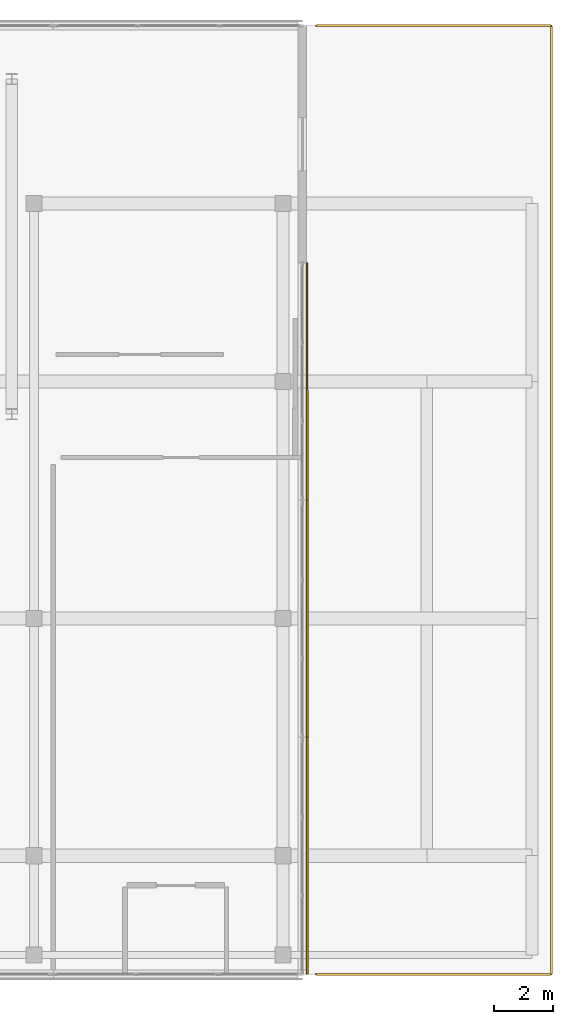
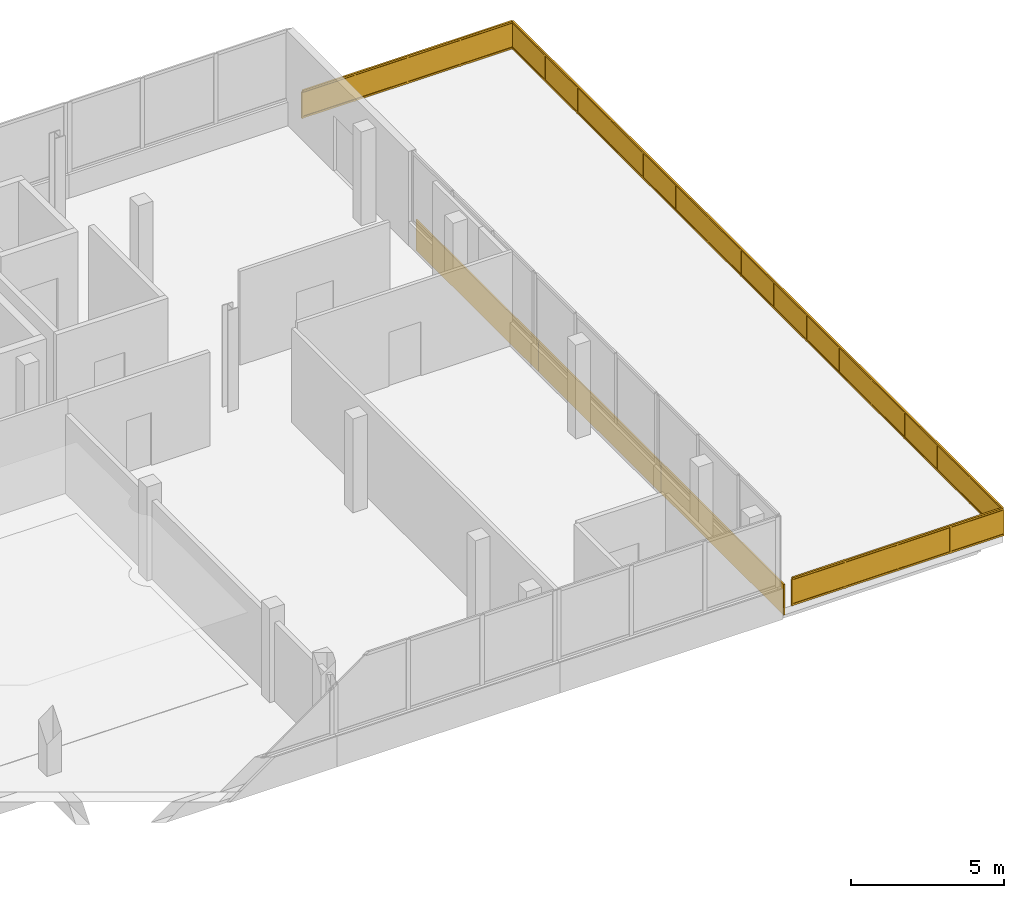
# One storey, part 67 of 67: 3 coverings, 2 railings.
"""IFC4 building model written with IfcOpenShell, lengths in metres."""

from ifc_helpers import new_model, si_unit, direction, frame, origin, origin_2d, place, context, subcontext, project, spatial, polyline, rectangle, outline, extrude, material, layer, layer_set, type_object, element, save


model = new_model("IFC4")

# Units and contexts
model_context = context("Model", 3, precision=1e-05, world=origin(), true_north=direction((0.0, 1.0)))
body_context = subcontext(model_context, "Body", "Model", "MODEL_VIEW")
ifc_project = project(units=[si_unit("LENGTHUNIT", "METRE"), si_unit("AREAUNIT", "SQUARE_METRE"), si_unit("VOLUMEUNIT", "CUBIC_METRE"), si_unit("PLANEANGLEUNIT", "RADIAN"), si_unit("MASSUNIT", "GRAM", prefix="KILO")], contexts=[model_context])

# Site, building, storey
site_placement = place(None, origin())
site = spatial("IfcSite", under=ifc_project, at=site_placement, CompositionType="ELEMENT")
building_placement = place(site_placement, origin())
building = spatial("IfcBuilding", under=site, at=building_placement, Name="Selatvlak General Hospital", CompositionType="ELEMENT")
storey_placement = place(building_placement, frame((0.0, 0.0, 35.39990234375)))
storey = spatial("IfcBuildingStorey", under=building, at=storey_placement, Name="L08", CompositionType="ELEMENT", Elevation=35.39990234375)

# Coverings
ifc_material_1 = material(Name="White Bauhaus fair-faced cladding panel")
ifc_layer = layer(ifc_material_1, 0.054931640625, Name="White Bauhaus fair-faced cladding panel")
ifc_layer_set = layer_set([ifc_layer], Name="White Bauhaus fair-faced cladding panel")
covering_type = type_object("IfcCoveringType", Name="COV-WHT1", PredefinedType="CLADDING", material=ifc_layer_set)
covering_placement = place(storey_placement, frame((157.364013671875, 108.0009765625, -0.27978515625), z_axis=(0.0, 0.0, 1.0), x_axis=(0.000122173047, -0.999999992537, 0.0)))
element("IfcCovering", 1, at=covering_placement, inside=storey, type_object=covering_type, Name="L08 Bauhaus horizontal white spandrel band 0552", PredefinedType="CLADDING", context=body_context, shape_type="SweptSolid", body=[
    extrude(rectangle(XDim=7.9990234375, YDim=0.054931640625, at=origin_2d()), origin(), (0.0, 0.0, 1.0), 1.219970703125),
])
for number, where, z_axis, x_axis, name in (
    (2, (157.364990234375, 100.0009765625, -0.27978515625), (0.0, 0.0, 1.0), (0.0, -1.0, 0.0), "L08 Bauhaus horizontal white spandrel band 0553"),
    (3, (157.364990234375, 92.0009765625, -0.27978515625), (0.0, 0.0, 1.0), (0.0, -1.0, 0.0), "L08 Bauhaus horizontal white spandrel band 0554"),
):
    element("IfcCovering", number, at=place(storey_placement, frame(where, z_axis=z_axis, x_axis=x_axis)), inside=storey, type_object=covering_type, Name=name, PredefinedType="CLADDING", context=body_context, shape_type="SweptSolid", body=[
        extrude(rectangle(XDim=8.0, YDim=0.054931640625, at=origin_2d()), origin(), (0.0, 0.0, 1.0), 1.219970703125),
    ])

# Railings
ifc_material_2 = material(Name="Stainless steel 316 safety balustrade", Category="steel")
railing_type = type_object("IfcRailingType", Name="RAIL-BAL1", PredefinedType="BALUSTRADE", material=ifc_material_2)
railing_1_placement = place(storey_placement, frame((165.60009765625, 120.0, 0.0)))
element("IfcRailing", 4, at=railing_1_placement, inside=storey, type_object=railing_type, Name="L08 continuous terrace guardrail 0038", PredefinedType="BALUSTRADE", context=body_context, shape_type="SweptSolid", body=[
    extrude(rectangle(XDim=0.068115234375, YDim=0.068115234375, at=origin_2d()), frame((0.0, -0.0029296875, 1.0859375), z_axis=(0.0, -1.0, 0.0), x_axis=(1.0, 0.0, 0.0)), (0.0, 0.0, 1.0), 31.994140625),
    extrude(rectangle(XDim=0.068115234375, YDim=0.068115234375, at=origin_2d()), frame((0.0, -0.0029296875, 0.049072265625), z_axis=(0.0, -1.0, 0.0), x_axis=(1.0, 0.0, 0.0)), (0.0, 0.0, 1.0), 31.994140625),
    extrude(outline(polyline([(0.0, 0.0), (31.988037109375, 0.0), (31.988037109375, 0.94189453125), (0.0, 0.94189453125), (0.0, 0.0)])), frame((0.01806640625, -0.006103515625, 0.0849609375), z_axis=(-1.0, 0.0, 0.0), x_axis=(0.0, -1.0, 0.0)), (0.0, 0.0, 1.0), 0.031982421875),
    extrude(rectangle(XDim=0.068115234375, YDim=0.068115234375, at=origin_2d()), frame((-0.0029296875, -32.0, 1.0859375), z_axis=(-1.0, 0.0, 0.0), x_axis=(0.0, -1.0, 0.0)), (0.0, 0.0, 1.0), 7.935302734375),
    extrude(rectangle(XDim=0.068115234375, YDim=0.068115234375, at=origin_2d()), frame((-0.0029296875, -32.0, 0.049072265625), z_axis=(-1.0, 0.0, 0.0), x_axis=(0.0, -1.0, 0.0)), (0.0, 0.0, 1.0), 7.935302734375),
    extrude(outline(polyline([(0.0, 0.0), (7.92919921875, 0.0), (7.92919921875, 0.94189453125), (0.0, 0.94189453125), (0.0, 0.0)])), frame((-0.006103515625, -32.01806640625, 0.0849609375), z_axis=(0.0, 1.0, 0.0), x_axis=(-1.0, 0.0, 0.0)), (0.0, 0.0, 1.0), 0.031982421875),
    extrude(rectangle(XDim=0.055908203125, YDim=0.055908203125, at=origin_2d()), origin(), (0.0, 0.0, 1.0), 1.049072265625),
    extrude(rectangle(XDim=0.055908203125, YDim=0.055908203125, at=origin_2d()), frame((0.0, -2.13330078125, 0.0)), (0.0, 0.0, 1.0), 1.049072265625),
    extrude(rectangle(XDim=0.055908203125, YDim=0.055908203125, at=origin_2d()), frame((0.0, -4.2666015625, 0.0)), (0.0, 0.0, 1.0), 1.049072265625),
    extrude(rectangle(XDim=0.055908203125, YDim=0.055908203125, at=origin_2d()), frame((0.0, -6.39990234375, 0.0)), (0.0, 0.0, 1.0), 1.049072265625),
    extrude(rectangle(XDim=0.055908203125, YDim=0.055908203125, at=origin_2d()), frame((0.0, -8.533447265625, 0.0)), (0.0, 0.0, 1.0), 1.049072265625),
    extrude(rectangle(XDim=0.055908203125, YDim=0.055908203125, at=origin_2d()), frame((0.0, -10.666748046875, 0.0)), (0.0, 0.0, 1.0), 1.049072265625),
    extrude(rectangle(XDim=0.055908203125, YDim=0.055908203125, at=origin_2d()), frame((0.0, -12.800048828125, 0.0)), (0.0, 0.0, 1.0), 1.049072265625),
    extrude(rectangle(XDim=0.055908203125, YDim=0.055908203125, at=origin_2d()), frame((0.0, -14.933349609375, 0.0)), (0.0, 0.0, 1.0), 1.049072265625),
    extrude(rectangle(XDim=0.055908203125, YDim=0.055908203125, at=origin_2d()), frame((0.0, -17.066650390625, 0.0)), (0.0, 0.0, 1.0), 1.049072265625),
    extrude(rectangle(XDim=0.055908203125, YDim=0.055908203125, at=origin_2d()), frame((0.0, -19.199951171875, 0.0)), (0.0, 0.0, 1.0), 1.049072265625),
    extrude(rectangle(XDim=0.055908203125, YDim=0.055908203125, at=origin_2d()), frame((0.0, -21.333251953125, 0.0)), (0.0, 0.0, 1.0), 1.049072265625),
    extrude(rectangle(XDim=0.055908203125, YDim=0.055908203125, at=origin_2d()), frame((0.0, -23.466552734375, 0.0)), (0.0, 0.0, 1.0), 1.049072265625),
    extrude(rectangle(XDim=0.055908203125, YDim=0.055908203125, at=origin_2d()), frame((0.0, -25.60009765625, 0.0)), (0.0, 0.0, 1.0), 1.049072265625),
    extrude(rectangle(XDim=0.055908203125, YDim=0.055908203125, at=origin_2d()), frame((0.0, -27.7333984375, 0.0)), (0.0, 0.0, 1.0), 1.049072265625),
    extrude(rectangle(XDim=0.055908203125, YDim=0.055908203125, at=origin_2d()), frame((0.0, -29.86669921875, 0.0)), (0.0, 0.0, 1.0), 1.049072265625),
    extrude(rectangle(XDim=0.055908203125, YDim=0.055908203125, at=origin_2d()), frame((0.0, -32.0, 0.0)), (0.0, 0.0, 1.0), 1.049072265625),
    extrude(rectangle(XDim=0.055908203125, YDim=0.055908203125, at=origin_2d()), frame((-1.9853515625, -32.0, 0.0)), (0.0, 0.0, 1.0), 1.049072265625),
    extrude(rectangle(XDim=0.055908203125, YDim=0.055908203125, at=origin_2d()), frame((-3.970703125, -32.0, 0.0)), (0.0, 0.0, 1.0), 1.049072265625),
    extrude(rectangle(XDim=0.055908203125, YDim=0.055908203125, at=origin_2d()), frame((-5.955810546875, -32.0, 0.0)), (0.0, 0.0, 1.0), 1.049072265625),
    extrude(rectangle(XDim=0.055908203125, YDim=0.055908203125, at=origin_2d()), frame((-7.941162109375, -32.0, 0.0)), (0.0, 0.0, 1.0), 1.049072265625),
])
railing_2_placement = place(storey_placement, frame((157.678955078125, 120.0, 0.0)))
element("IfcRailing", 5, at=railing_2_placement, inside=storey, type_object=railing_type, Name="L08 continuous terrace guardrail 0039", PredefinedType="BALUSTRADE", context=body_context, shape_type="SweptSolid", body=[
    extrude(rectangle(XDim=0.068115234375, YDim=0.068115234375, at=origin_2d()), frame((0.0029296875, 0.0, 1.0859375), z_axis=(1.0, 0.0, 0.0), x_axis=(0.0, 1.0, 0.0)), (0.0, 0.0, 1.0), 7.915283203125),
    extrude(rectangle(XDim=0.068115234375, YDim=0.068115234375, at=origin_2d()), frame((0.0029296875, 0.0, 0.049072265625), z_axis=(1.0, 0.0, 0.0), x_axis=(0.0, 1.0, 0.0)), (0.0, 0.0, 1.0), 7.915283203125),
    extrude(outline(polyline([(0.0, 0.0), (7.9091796875, 0.0), (7.9091796875, 0.94189453125), (0.0, 0.94189453125), (0.0, 0.0)])), frame((0.006103515625, 0.01806640625, 0.0849609375), z_axis=(0.0, -1.0, 0.0), x_axis=(1.0, 0.0, 0.0)), (0.0, 0.0, 1.0), 0.031982421875),
    extrude(rectangle(XDim=0.055908203125, YDim=0.055908203125, at=origin_2d()), origin(), (0.0, 0.0, 1.0), 1.049072265625),
    extrude(rectangle(XDim=0.055908203125, YDim=0.055908203125, at=origin_2d()), frame((1.980224609375, 0.0, 0.0)), (0.0, 0.0, 1.0), 1.049072265625),
    extrude(rectangle(XDim=0.055908203125, YDim=0.055908203125, at=origin_2d()), frame((3.96044921875, 0.0, 0.0)), (0.0, 0.0, 1.0), 1.049072265625),
    extrude(rectangle(XDim=0.055908203125, YDim=0.055908203125, at=origin_2d()), frame((5.94091796875, 0.0, 0.0)), (0.0, 0.0, 1.0), 1.049072265625),
    extrude(rectangle(XDim=0.055908203125, YDim=0.055908203125, at=origin_2d()), frame((7.921142578125, 0.0, 0.0)), (0.0, 0.0, 1.0), 1.049072265625),
])

save(model, "model.ifc")
